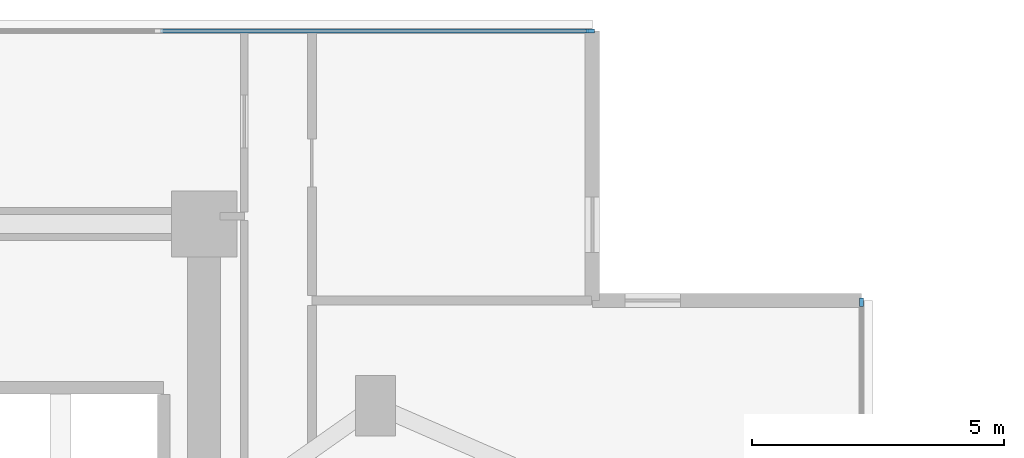
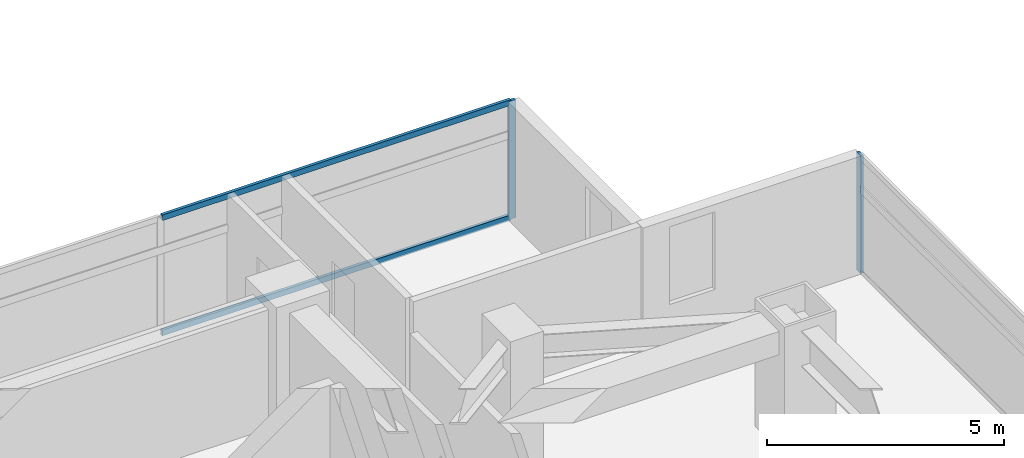
# One storey, part 8 of 27: 4 members, 2 elements without a shape of their own.
"""IFC4 building model written with IfcOpenShell, lengths in metres."""

from ifc_helpers import new_model, si_unit, direction, frame, origin, origin_2d, place, context, subcontext, project, spatial, rectangle, extrude, material, material_profile, profile_set, type_object, element, aggregate, save


model = new_model("IFC4")

# Units and contexts
model_context = context("Model", 3, precision=1e-05, world=origin(), true_north=direction((0.0, 1.0)))
body_context = subcontext(model_context, "Body", "Model", "MODEL_VIEW")
ifc_project = project(units=[si_unit("LENGTHUNIT", "METRE"), si_unit("AREAUNIT", "SQUARE_METRE"), si_unit("VOLUMEUNIT", "CUBIC_METRE"), si_unit("PLANEANGLEUNIT", "RADIAN"), si_unit("MASSUNIT", "GRAM", prefix="KILO")], contexts=[model_context])

# Site, building, storey
site_placement = place(None, origin())
site = spatial("IfcSite", under=ifc_project, at=site_placement, CompositionType="ELEMENT")
building_placement = place(site_placement, origin())
building = spatial("IfcBuilding", under=site, at=building_placement, Name="Mirazonda Arch Towers", CompositionType="ELEMENT")
storey_placement = place(building_placement, frame((0.0, 0.0, 75.199951171875)))
storey = spatial("IfcBuildingStorey", under=building, at=storey_placement, Name="L21", CompositionType="ELEMENT", Elevation=75.199951171875)

# Curtain wall, member
ifc_material_1 = material(Name="Anodised Aluminium and Low-E Glass", Category="aluminium")
curtain_wall_type = type_object("IfcCurtainWallType", Name="CW-HTL-UNIT", PredefinedType="NOTDEFINED", material=ifc_material_1)
curtain_wall_1_placement = place(storey_placement, origin())
curtain_wall_1 = element("IfcCurtainWall", 1, at=curtain_wall_1_placement, inside=storey, type_object=curtain_wall_type, Name="L21 T1 E Facade CW-L21-T1-E", PredefinedType="NOTDEFINED")
ifc_material_2 = material(Name="Anodised Aluminium Alloy", Category="aluminium")
ifc_material_profile_1 = material_profile(ifc_material_2, rectangle(XDim=0.074951171875, YDim=0.1650390625, at=origin_2d()), Name="ALU-MULL-75x165")
ifc_profile_set_1 = profile_set([ifc_material_profile_1], Name="Anodised Aluminium Alloy")
member_type_1 = type_object("IfcMemberType", Name="MULL-CW-HTL-UNIT", PredefinedType="MULLION", material=ifc_profile_set_1)
member_1_placement = place(storey_placement, frame((43.0400390625, 42.048583984375, 0.0), z_axis=(0.0, 0.0, 1.0), x_axis=(-1.0, 0.0, 0.0)))
member_1 = element("IfcMember", 2, at=member_1_placement, type_object=member_type_1, Name="CW-112 mullion 4", PredefinedType="MULLION", context=body_context, shape_type="SweptSolid", body=[
    extrude(rectangle(XDim=0.074951171875, YDim=0.1650390625, at=origin_2d()), origin(), (0.0, 0.0, 1.0), 3.0400390625),
])
aggregate(curtain_wall_1, [member_1])

# Curtain wall, members
curtain_wall_2_placement = place(storey_placement, origin())
curtain_wall_2 = element("IfcCurtainWall", 3, at=curtain_wall_2_placement, inside=storey, type_object=curtain_wall_type, Name="L21 T1 N Facade CW-L21-T1-N", PredefinedType="NOTDEFINED")
member_2_placement = place(storey_placement, frame((37.66259765625, 47.426025390625, 0.0), z_axis=(0.0, 0.0, 1.0), x_axis=(0.0, 1.0, 0.0)))
member_2 = element("IfcMember", 4, at=member_2_placement, type_object=member_type_1, Name="CW-112 mullion 5", PredefinedType="MULLION", context=body_context, shape_type="SweptSolid", body=[
    extrude(rectangle(XDim=0.074951171875, YDim=0.1650390625, at=origin_2d()), origin(), (0.0, 0.0, 1.0), 3.0400390625),
])
ifc_material_profile_2 = material_profile(ifc_material_2, rectangle(XDim=0.074951171875, YDim=0.14501953125, at=origin_2d()), Name="ALU-TRAN-75x145")
ifc_profile_set_2 = profile_set([ifc_material_profile_2], Name="Anodised Aluminium Alloy")
member_type_2 = type_object("IfcMemberType", Name="TRAN-CW-HTL-UNIT", PredefinedType="USERDEFINED", material=ifc_profile_set_2)
member_3_placement = place(storey_placement, frame((29.137451171875, 47.426025390625, 0.03759765625), z_axis=(1.0, 0.0, 0.0), x_axis=(0.0, 1.0, 0.0)))
member_3 = element("IfcMember", 5, at=member_3_placement, type_object=member_type_2, Name="CW-112 transom 4.1", ObjectType="TRANSOM", PredefinedType="USERDEFINED", context=body_context, shape_type="SweptSolid", body=[
    extrude(rectangle(XDim=0.074951171875, YDim=0.14501953125, at=origin_2d()), origin(), (0.0, 0.0, 1.0), 8.487548828125),
])
member_4_placement = place(storey_placement, frame((29.137451171875, 47.426025390625, 3.00244140625), z_axis=(1.0, 0.0, 0.0), x_axis=(0.0, 1.0, 0.0)))
member_4 = element("IfcMember", 6, at=member_4_placement, type_object=member_type_2, Name="CW-112 transom 4.2", ObjectType="TRANSOM", PredefinedType="USERDEFINED", context=body_context, shape_type="SweptSolid", body=[
    extrude(rectangle(XDim=0.074951171875, YDim=0.14501953125, at=origin_2d()), origin(), (0.0, 0.0, 1.0), 8.487548828125),
])
aggregate(curtain_wall_2, [member_2, member_3, member_4])

save(model, "model.ifc")
